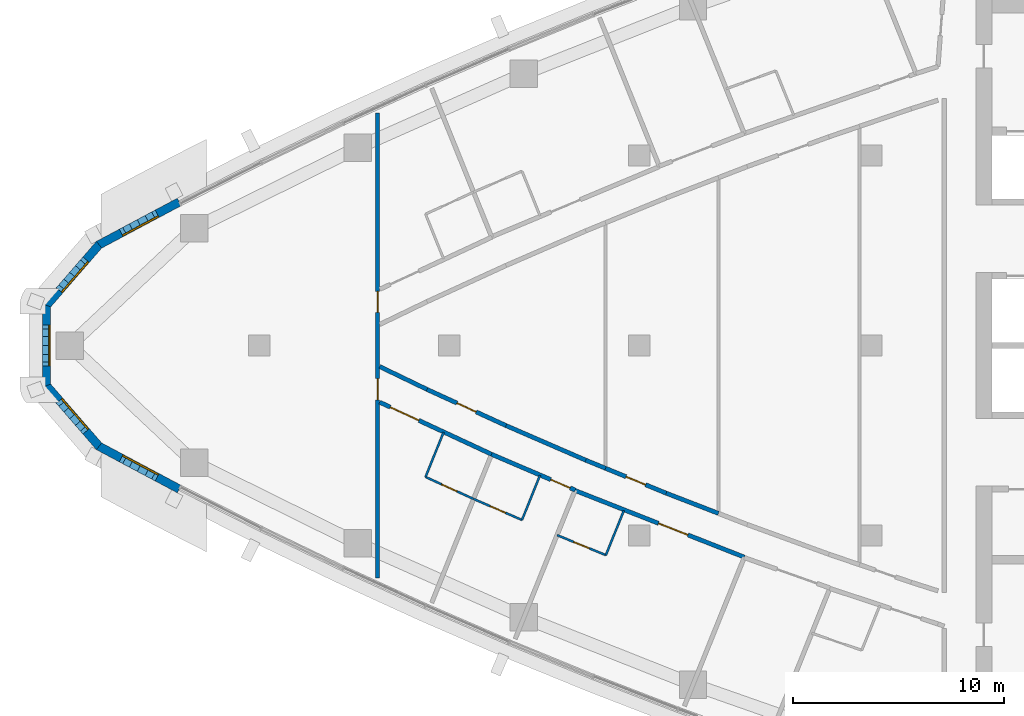
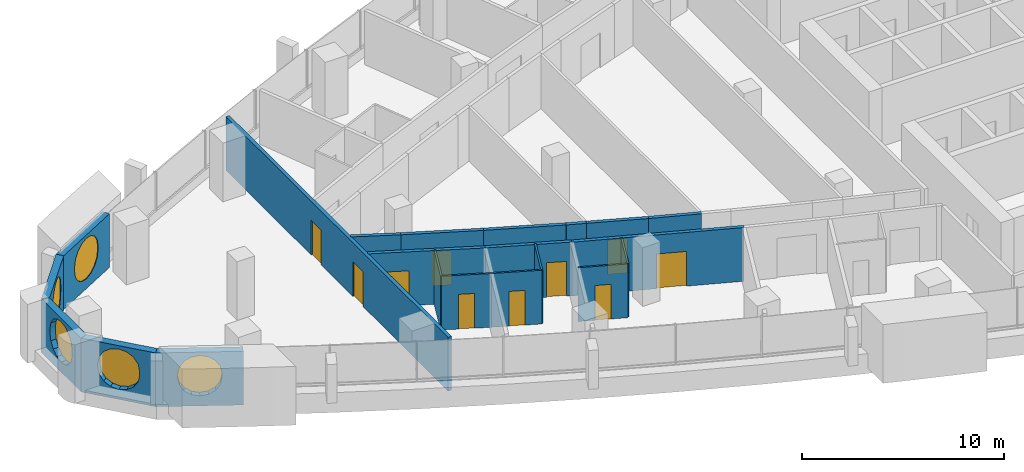
# One storey, part 9 of 17: 21 walls, 10 doors, 5 windows, 15 openings.
"""IFC4 building model written with IfcOpenShell, lengths in metres."""

from ifc_helpers import new_model, si_unit, direction, frame, frame_2d, origin, place, context, subcontext, project, spatial, polyline, rectangle, outline, extrude, material, layer, layer_set, type_object, element, fill, save


model = new_model("IFC4")

# Units and contexts
model_context = context("Model", 3, precision=1e-05, world=origin(), true_north=direction((0.0, 1.0)))
body_context = subcontext(model_context, "Body", "Model", "MODEL_VIEW")
ifc_project = project(units=[si_unit("LENGTHUNIT", "METRE"), si_unit("AREAUNIT", "SQUARE_METRE"), si_unit("VOLUMEUNIT", "CUBIC_METRE"), si_unit("PLANEANGLEUNIT", "RADIAN"), si_unit("MASSUNIT", "GRAM", prefix="KILO")], contexts=[model_context])

# Site, building, storey
site_placement = place(None, origin())
site = spatial("IfcSite", under=ifc_project, at=site_placement, CompositionType="ELEMENT")
building_placement = place(site_placement, origin())
building = spatial("IfcBuilding", under=site, at=building_placement, Name="Ostrand Prow Hotel Tower", CompositionType="ELEMENT")
storey_placement = place(building_placement, frame((0.0, 0.0, 200.35009765625)))
storey = spatial("IfcBuildingStorey", under=building, at=storey_placement, Name="L50", CompositionType="ELEMENT", Elevation=200.35009765625)

# Wall
ifc_material_1 = material(Name="Plasterboard partition")
ifc_layer_1 = layer(ifc_material_1, 0.10009765625)
ifc_layer_set_1 = layer_set([ifc_layer_1], Name="Plasterboard partition")
wall_type_1 = type_object("IfcWallType", Name="Partition 100 bathroom wall", PredefinedType="PARTITIONING", material=ifc_layer_set_1)
wall_1_placement = place(storey_placement, frame((23.87548828125, -6.22607421875, 0.0), z_axis=(0.0, 0.0, 1.0), x_axis=(0.373790023037, 0.927513352291, 0.0)))
element("IfcWall", 1, at=wall_1_placement, inside=storey, type_object=wall_type_1, Name="BATHROOM WALL", PredefinedType="PARTITIONING", context=body_context, shape_type="SweptSolid", body=[
    extrude(rectangle(XDim=2.279541015625, YDim=0.10009765625, at=frame_2d((1.1396484375, 0.0))), origin(), (0.0, 0.0, 1.0), 3.25),
])

# Wall, opening, door
wall_2_placement = place(storey_placement, frame((26.14208984375, -7.264404296875, 0.0), z_axis=(0.0, 0.0, 1.0), x_axis=(-0.909145169949, 0.416479363183, 0.0)))
wall_2 = element("IfcWall", 2, at=wall_2_placement, inside=storey, type_object=wall_type_1, Name="BATHROOM WALL", PredefinedType="PARTITIONING", context=body_context, shape_type="SweptSolid", body=[
    extrude(rectangle(XDim=2.4931640625, YDim=0.10009765625, at=frame_2d((1.24658203125, 0.0))), origin(), (0.0, 0.0, 1.0), 3.25),
])
opening_1_placement = place(wall_2_placement, frame((0.85009765625, 0.0, 0.0)))
opening_1 = element("IfcOpeningElement", 3, at=opening_1_placement, cuts=wall_2, Name="Opening D2", PredefinedType="OPENING", context=body_context, shape_type="SweptSolid", body=[
    extrude(rectangle(XDim=0.800048828125, YDim=2.10009765625, at=frame_2d((0.39990234375, 1.050048828125))), frame((0.0, 0.06005859375, 0.0), z_axis=(0.0, -1.0, 0.0), x_axis=(1.0, 0.0, 0.0)), (0.0, 0.0, 1.0), 0.1201171875),
])
ifc_material_2 = material(Name="Timber door leaf", Category="wood")
door_type_1 = type_object("IfcDoorType", Name="Bathroom door 800", OperationType="SINGLE_SWING_LEFT", PredefinedType="DOOR", material=ifc_material_2)
door_1_placement = place(opening_1_placement, origin())
door_1 = element("IfcDoor", 4, at=door_1_placement, inside=storey, type_object=door_type_1, Name="DOOR", OperationType="SINGLE_SWING_LEFT", OverallHeight=2.10009765625, OverallWidth=0.800048828125, PredefinedType="DOOR", context=body_context, shape_type="SweptSolid", body=[
    extrude(rectangle(XDim=0.800048828125, YDim=2.10009765625, at=frame_2d((0.39990234375, 1.050048828125))), frame((0.0, 0.02490234375, 0.0), z_axis=(0.0, -1.0, 0.0), x_axis=(1.0, 0.0, 0.0)), (0.0, 0.0, 1.0), 0.050048828125),
])
fill(opening_1, door_1)

# Wall
wall_3_placement = place(storey_placement, frame((29.296630859375, -6.15087890625, 0.0), z_axis=(0.0, 0.0, 1.0), x_axis=(-0.373902898623, -0.927467855185, 0.0)))
element("IfcWall", 5, at=wall_3_placement, inside=storey, type_object=wall_type_1, Name="BATHROOM WALL", PredefinedType="PARTITIONING", context=body_context, shape_type="SweptSolid", body=[
    extrude(rectangle(XDim=2.277587890625, YDim=0.10009765625, at=frame_2d((1.138671875, 0.0))), origin(), (0.0, 0.0, 1.0), 3.25),
])

# Wall, opening, door
wall_4_placement = place(storey_placement, frame((28.445068359375, -8.263427734375, 0.0), z_axis=(0.0, 0.0, 1.0), x_axis=(-0.917378641232, 0.398015613526, 0.0)))
wall_4 = element("IfcWall", 6, at=wall_4_placement, inside=storey, type_object=wall_type_1, Name="BATHROOM WALL", PredefinedType="PARTITIONING", context=body_context, shape_type="SweptSolid", body=[
    extrude(rectangle(XDim=2.500732421875, YDim=0.10009765625, at=frame_2d((1.25048828125, 0.0))), origin(), (0.0, 0.0, 1.0), 3.25),
])
opening_2_placement = place(wall_4_placement, frame((0.85009765625, 0.0, 0.0)))
opening_2 = element("IfcOpeningElement", 7, at=opening_2_placement, cuts=wall_4, Name="Opening D2", PredefinedType="OPENING", context=body_context, shape_type="SweptSolid", body=[
    extrude(rectangle(XDim=0.800048828125, YDim=2.10009765625, at=frame_2d((0.39990234375, 1.050048828125))), frame((0.0, 0.06005859375, 0.0), z_axis=(0.0, -1.0, 0.0), x_axis=(1.0, 0.0, 0.0)), (0.0, 0.0, 1.0), 0.1201171875),
])
door_2_placement = place(opening_2_placement, origin())
door_2 = element("IfcDoor", 8, at=door_2_placement, inside=storey, type_object=door_type_1, Name="DOOR", OperationType="SINGLE_SWING_LEFT", OverallHeight=2.10009765625, OverallWidth=0.800048828125, PredefinedType="DOOR", context=body_context, shape_type="SweptSolid", body=[
    extrude(rectangle(XDim=0.800048828125, YDim=2.10009765625, at=frame_2d((0.39990234375, 1.050048828125))), frame((0.0, 0.02490234375, 0.0), z_axis=(0.0, -1.0, 0.0), x_axis=(1.0, 0.0, 0.0)), (0.0, 0.0, 1.0), 0.050048828125),
])
fill(opening_2, door_2)

# Wall
wall_5_placement = place(storey_placement, frame((33.269775390625, -7.817626953125, 0.0), z_axis=(0.0, 0.0, 1.0), x_axis=(-0.373847853912, -0.927490044219, 0.0)))
element("IfcWall", 9, at=wall_5_placement, inside=storey, type_object=wall_type_1, Name="BATHROOM WALL", PredefinedType="PARTITIONING", context=body_context, shape_type="SweptSolid", body=[
    extrude(rectangle(XDim=2.277099609375, YDim=0.10009765625, at=frame_2d((1.138671875, 0.0))), origin(), (0.0, 0.0, 1.0), 3.25),
])

# Wall, opening, door
wall_6_placement = place(storey_placement, frame((32.41845703125, -9.9296875, 0.0), z_axis=(0.0, 0.0, 1.0), x_axis=(-0.92519499486, 0.379492057212, 0.0)))
wall_6 = element("IfcWall", 10, at=wall_6_placement, inside=storey, type_object=wall_type_1, Name="BATHROOM WALL", PredefinedType="PARTITIONING", context=body_context, shape_type="SweptSolid", body=[
    extrude(rectangle(XDim=2.5, YDim=0.10009765625, at=frame_2d((1.25, 0.0))), origin(), (0.0, 0.0, 1.0), 3.25),
])
opening_3_placement = place(wall_6_placement, frame((0.85009765625, 0.0, 0.0)))
opening_3 = element("IfcOpeningElement", 11, at=opening_3_placement, cuts=wall_6, Name="Opening D2", PredefinedType="OPENING", context=body_context, shape_type="SweptSolid", body=[
    extrude(rectangle(XDim=0.800048828125, YDim=2.10009765625, at=frame_2d((0.39990234375, 1.050048828125))), frame((0.0, 0.06005859375, 0.0), z_axis=(0.0, -1.0, 0.0), x_axis=(1.0, 0.0, 0.0)), (0.0, 0.0, 1.0), 0.1201171875),
])
door_3_placement = place(opening_3_placement, origin())
door_3 = element("IfcDoor", 12, at=door_3_placement, inside=storey, type_object=door_type_1, Name="DOOR", OperationType="SINGLE_SWING_LEFT", OverallHeight=2.10009765625, OverallWidth=0.800048828125, PredefinedType="DOOR", context=body_context, shape_type="SweptSolid", body=[
    extrude(rectangle(XDim=0.800048828125, YDim=2.10009765625, at=frame_2d((0.39990234375, 1.050048828125))), frame((0.0, 0.02490234375, 0.0), z_axis=(0.0, -1.0, 0.0), x_axis=(1.0, 0.0, 0.0)), (0.0, 0.0, 1.0), 0.050048828125),
])
fill(opening_3, door_3)

ifc_material_3 = material(Name="Plasterboard partition")
ifc_layer_2 = layer(ifc_material_3, 0.199951171875)
ifc_layer_set_2 = layer_set([ifc_layer_2], Name="Plasterboard partition")
wall_type_2 = type_object("IfcWallType", Name="Partition 200 corridor wall", PredefinedType="PARTITIONING", material=ifc_layer_set_2)
wall_7_placement = place(storey_placement, frame((21.7041015625, -2.684814453125, 0.0), z_axis=(0.0, 0.0, 1.0), x_axis=(0.906628613993, -0.421929563184, 0.0)))
wall_7 = element("IfcWall", 13, at=wall_7_placement, inside=storey, type_object=wall_type_2, Name="CORRIDOR WALL", PredefinedType="PARTITIONING", context=body_context, shape_type="SweptSolid", body=[
    extrude(rectangle(XDim=5.845947265625, YDim=0.199951171875, at=frame_2d((2.9228515625, 0.0))), origin(), (0.0, 0.0, 1.0), 3.25),
])
opening_4_placement = place(wall_7_placement, frame((0.550048828125, 0.0, 0.0)))
opening_4 = element("IfcOpeningElement", 14, at=opening_4_placement, cuts=wall_7, Name="Opening D15", PredefinedType="OPENING", context=body_context, shape_type="SweptSolid", body=[
    extrude(rectangle(XDim=1.5, YDim=2.10009765625, at=frame_2d((0.75, 1.050048828125))), frame((0.0, 0.10986328125, 0.0), z_axis=(0.0, -1.0, 0.0), x_axis=(1.0, 0.0, 0.0)), (0.0, 0.0, 1.0), 0.219970703125),
])
ifc_material_4 = material(Name="Timber door leaf", Category="wood")
door_type_2 = type_object("IfcDoorType", Name="Double door 1500", OperationType="DOUBLE_DOOR_SINGLE_SWING", PredefinedType="DOOR", material=ifc_material_4)
door_4_placement = place(opening_4_placement, origin())
door_4 = element("IfcDoor", 15, at=door_4_placement, inside=storey, type_object=door_type_2, Name="DOOR", OperationType="DOUBLE_DOOR_SINGLE_SWING", OverallHeight=2.10009765625, OverallWidth=1.5, PredefinedType="DOOR", context=body_context, shape_type="SweptSolid", body=[
    extrude(rectangle(XDim=1.5, YDim=2.10009765625, at=frame_2d((0.75, 1.050048828125))), frame((0.0, 0.02490234375, 0.0), z_axis=(0.0, -1.0, 0.0), x_axis=(1.0, 0.0, 0.0)), (0.0, 0.0, 1.0), 0.050048828125),
])
fill(opening_4, door_4)

wall_8_placement = place(storey_placement, frame((27.004150390625, -5.1513671875, 0.0), z_axis=(0.0, 0.0, 1.0), x_axis=(0.919259282109, -0.393652603519, 0.0)))
wall_8 = element("IfcWall", 16, at=wall_8_placement, inside=storey, type_object=wall_type_2, Name="CORRIDOR WALL", PredefinedType="PARTITIONING", context=body_context, shape_type="SweptSolid", body=[
    extrude(rectangle(XDim=4.30908203125, YDim=0.199951171875, at=frame_2d((2.154541015625, 0.0))), origin(), (0.0, 0.0, 1.0), 3.25),
])
opening_5_placement = place(wall_8_placement, frame((3.050048828125, 0.0, 0.0)))
opening_5 = element("IfcOpeningElement", 17, at=opening_5_placement, cuts=wall_8, Name="Opening D1R", PredefinedType="OPENING", context=body_context, shape_type="SweptSolid", body=[
    extrude(rectangle(XDim=1.0, YDim=2.10009765625, at=frame_2d((0.5, 1.050048828125))), frame((0.0, 0.10986328125, 0.0), z_axis=(0.0, -1.0, 0.0), x_axis=(1.0, 0.0, 0.0)), (0.0, 0.0, 1.0), 0.219970703125),
])
ifc_material_5 = material(Name="Timber door leaf", Category="wood")
door_type_3 = type_object("IfcDoorType", Name="Guest room door 1000 right", OperationType="SINGLE_SWING_RIGHT", PredefinedType="DOOR", material=ifc_material_5)
door_5_placement = place(opening_5_placement, origin())
door_5 = element("IfcDoor", 18, at=door_5_placement, inside=storey, type_object=door_type_3, Name="DOOR", OperationType="SINGLE_SWING_RIGHT", OverallHeight=2.10009765625, OverallWidth=1.0, PredefinedType="DOOR", context=body_context, shape_type="SweptSolid", body=[
    extrude(rectangle(XDim=1.0, YDim=2.10009765625, at=frame_2d((0.5, 1.050048828125))), frame((0.0, 0.02490234375, 0.0), z_axis=(0.0, -1.0, 0.0), x_axis=(1.0, 0.0, 0.0)), (0.0, 0.0, 1.0), 0.050048828125),
])
fill(opening_5, door_5)

wall_9_placement = place(storey_placement, frame((30.9580078125, -6.8662109375, 0.0), z_axis=(0.0, 0.0, 1.0), x_axis=(0.93040517394, -0.366532689274, 0.0)))
wall_9 = element("IfcWall", 19, at=wall_9_placement, inside=storey, type_object=wall_type_2, Name="CORRIDOR WALL", PredefinedType="PARTITIONING", context=body_context, shape_type="SweptSolid", body=[
    extrude(rectangle(XDim=8.621826171875, YDim=0.199951171875, at=frame_2d((4.31103515625, 0.0))), origin(), (0.0, 0.0, 1.0), 3.25),
])
opening_6_placement = place(wall_9_placement, frame((4.25, 0.0, 0.0)))
opening_6 = element("IfcOpeningElement", 20, at=opening_6_placement, cuts=wall_9, Name="Opening D15", PredefinedType="OPENING", context=body_context, shape_type="SweptSolid", body=[
    extrude(rectangle(XDim=1.5, YDim=2.10009765625, at=frame_2d((0.75, 1.050048828125))), frame((0.0, 0.10986328125, 0.0), z_axis=(0.0, -1.0, 0.0), x_axis=(1.0, 0.0, 0.0)), (0.0, 0.0, 1.0), 0.219970703125),
])
door_6_placement = place(opening_6_placement, origin())
door_6 = element("IfcDoor", 21, at=door_6_placement, inside=storey, type_object=door_type_2, Name="DOOR", OperationType="DOUBLE_DOOR_SINGLE_SWING", OverallHeight=2.10009765625, OverallWidth=1.5, PredefinedType="DOOR", context=body_context, shape_type="SweptSolid", body=[
    extrude(rectangle(XDim=1.5, YDim=2.10009765625, at=frame_2d((0.75, 1.050048828125))), frame((0.0, 0.02490234375, 0.0), z_axis=(0.0, -1.0, 0.0), x_axis=(1.0, 0.0, 0.0)), (0.0, 0.0, 1.0), 0.050048828125),
])
fill(opening_6, door_6)

wall_10_placement = place(storey_placement, frame((27.689697265625, -3.79345703125, 0.0), z_axis=(0.0, 0.0, 1.0), x_axis=(-0.909180834404, 0.416401501382, 0.0)))
wall_10 = element("IfcWall", 22, at=wall_10_placement, inside=storey, type_object=wall_type_2, Name="CORRIDOR WALL", PredefinedType="PARTITIONING", context=body_context, shape_type="SweptSolid", body=[
    extrude(rectangle(XDim=4.1171875, YDim=0.199951171875, at=frame_2d((2.05859375, 0.0))), origin(), (0.0, 0.0, 1.0), 3.25),
])
opening_7_placement = place(wall_10_placement, frame((1.55859375, 0.0, 0.0)))
opening_7 = element("IfcOpeningElement", 23, at=opening_7_placement, cuts=wall_10, Name="Opening D1R", PredefinedType="OPENING", context=body_context, shape_type="SweptSolid", body=[
    extrude(rectangle(XDim=1.0, YDim=2.10009765625, at=frame_2d((0.5, 1.050048828125))), frame((0.0, 0.10986328125, 0.0), z_axis=(0.0, -1.0, 0.0), x_axis=(1.0, 0.0, 0.0)), (0.0, 0.0, 1.0), 0.219970703125),
])
door_7_placement = place(opening_7_placement, origin())
door_7 = element("IfcDoor", 24, at=door_7_placement, inside=storey, type_object=door_type_3, Name="DOOR", OperationType="SINGLE_SWING_RIGHT", OverallHeight=2.10009765625, OverallWidth=1.0, PredefinedType="DOOR", context=body_context, shape_type="SweptSolid", body=[
    extrude(rectangle(XDim=1.0, YDim=2.10009765625, at=frame_2d((0.5, 1.050048828125))), frame((0.0, 0.02490234375, 0.0), z_axis=(0.0, -1.0, 0.0), x_axis=(1.0, 0.0, 0.0)), (0.0, 0.0, 1.0), 0.050048828125),
])
fill(opening_7, door_7)

# Walls
wall_11_placement = place(storey_placement, frame((32.40234375, -5.81591796875, 0.0), z_axis=(0.0, 0.0, 1.0), x_axis=(-0.925212079844, 0.379450401648, 0.0)))
element("IfcWall", 25, at=wall_11_placement, inside=storey, type_object=wall_type_2, Name="CORRIDOR WALL", PredefinedType="PARTITIONING", context=body_context, shape_type="SweptSolid", body=[
    extrude(rectangle(XDim=1.011474609375, YDim=0.199951171875, at=frame_2d((0.505859375, 0.0))), origin(), (0.0, 0.0, 1.0), 3.25),
])
wall_12_placement = place(storey_placement, frame((31.466552734375, -5.43212890625, 0.0), z_axis=(0.0, 0.0, 1.0), x_axis=(-0.917375244839, 0.398023441717, 0.0)))
element("IfcWall", 26, at=wall_12_placement, inside=storey, type_object=wall_type_2, Name="CORRIDOR WALL", PredefinedType="PARTITIONING", context=body_context, shape_type="SweptSolid", body=[
    extrude(rectangle(XDim=4.116943359375, YDim=0.199951171875, at=frame_2d((2.05859375, 0.0))), origin(), (0.0, 0.0, 1.0), 3.25),
])
wall_13_placement = place(storey_placement, frame((23.946533203125, -2.0791015625, 0.0), z_axis=(0.0, 0.0, 1.0), x_axis=(-0.900633695148, 0.434579045933, 0.0)))
element("IfcWall", 27, at=wall_13_placement, inside=storey, type_object=wall_type_2, Name="CORRIDOR WALL", PredefinedType="PARTITIONING", context=body_context, shape_type="SweptSolid", body=[
    extrude(rectangle(XDim=2.48974609375, YDim=0.199951171875, at=frame_2d((1.244873046875, 0.0))), origin(), (0.0, 0.0, 1.0), 3.25),
])

# Wall, opening, door
wall_14_placement = place(storey_placement, frame((35.275634765625, -6.994384765625, 0.0), z_axis=(0.0, 0.0, 1.0), x_axis=(-0.925204713675, 0.379468362045, 0.0)))
wall_14 = element("IfcWall", 28, at=wall_14_placement, inside=storey, type_object=wall_type_2, Name="CORRIDOR WALL", PredefinedType="PARTITIONING", context=body_context, shape_type="SweptSolid", body=[
    extrude(rectangle(XDim=3.10546875, YDim=0.199951171875, at=frame_2d((1.552734375, 0.0))), origin(), (0.0, 0.0, 1.0), 3.25),
])
opening_8_placement = place(wall_14_placement, frame((1.052734375, 0.0, 0.0)))
opening_8 = element("IfcOpeningElement", 29, at=opening_8_placement, cuts=wall_14, Name="Opening D1", PredefinedType="OPENING", context=body_context, shape_type="SweptSolid", body=[
    extrude(rectangle(XDim=1.0, YDim=2.10009765625, at=frame_2d((0.5, 1.050048828125))), frame((0.0, 0.10986328125, 0.0), z_axis=(0.0, -1.0, 0.0), x_axis=(1.0, 0.0, 0.0)), (0.0, 0.0, 1.0), 0.219970703125),
])
ifc_material_6 = material(Name="Timber door leaf", Category="wood")
door_type_4 = type_object("IfcDoorType", Name="Guest room door 1000", OperationType="SINGLE_SWING_LEFT", PredefinedType="DOOR", material=ifc_material_6)
door_8_placement = place(opening_8_placement, origin())
door_8 = element("IfcDoor", 30, at=door_8_placement, inside=storey, type_object=door_type_4, Name="DOOR", OperationType="SINGLE_SWING_LEFT", OverallHeight=2.10009765625, OverallWidth=1.0, PredefinedType="DOOR", context=body_context, shape_type="SweptSolid", body=[
    extrude(rectangle(XDim=1.0, YDim=2.10009765625, at=frame_2d((0.5, 1.050048828125))), frame((0.0, 0.02490234375, 0.0), z_axis=(0.0, -1.0, 0.0), x_axis=(1.0, 0.0, 0.0)), (0.0, 0.0, 1.0), 0.050048828125),
])
fill(opening_8, door_8)

# Wall
wall_15_placement = place(storey_placement, frame((37.751708984375, -7.951904296875, 0.0), z_axis=(0.0, 0.0, 1.0), x_axis=(-0.932689885878, 0.360679326801, 0.0)))
element("IfcWall", 31, at=wall_15_placement, inside=storey, type_object=wall_type_2, Name="CORRIDOR WALL", PredefinedType="PARTITIONING", context=body_context, shape_type="SweptSolid", body=[
    extrude(rectangle(XDim=2.65478515625, YDim=0.199951171875, at=frame_2d((1.327392578125, 0.0))), origin(), (0.0, 0.0, 1.0), 3.25),
])

# Wall, openings, doors
ifc_material_7 = material(Name="Plasterboard partition")
ifc_layer_3 = layer(ifc_material_7, 0.199951171875)
ifc_layer_set_3 = layer_set([ifc_layer_3], Name="Plasterboard partition")
wall_type_3 = type_object("IfcWallType", Name="Partition 200 lounge wall", PredefinedType="PARTITIONING", material=ifc_layer_set_3)
wall_16_placement = place(storey_placement, frame((21.60400390625, -11.015380859375, 0.0), z_axis=(0.0, 0.0, 1.0), x_axis=(0.0, 1.0, 0.0)))
wall_16 = element("IfcWall", 32, at=wall_16_placement, inside=storey, type_object=wall_type_3, Name="LOUNGE WALL", PredefinedType="PARTITIONING", context=body_context, shape_type="SweptSolid", body=[
    extrude(rectangle(XDim=22.03076171875, YDim=0.199951171875, at=frame_2d((11.015380859375, 0.0))), origin(), (0.0, 0.0, 1.0), 3.25),
])
opening_9_placement = place(wall_16_placement, frame((12.5859375, 0.0, 0.0)))
opening_9 = element("IfcOpeningElement", 33, at=opening_9_placement, cuts=wall_16, Name="Opening D1", PredefinedType="OPENING", context=body_context, shape_type="SweptSolid", body=[
    extrude(rectangle(XDim=1.0, YDim=2.10009765625, at=frame_2d((0.5, 1.050048828125))), frame((0.0, 0.10986328125, 0.0), z_axis=(0.0, -1.0, 0.0), x_axis=(1.0, 0.0, 0.0)), (0.0, 0.0, 1.0), 0.219970703125),
])
opening_10_placement = place(wall_16_placement, frame((8.444091796875, 0.0, 0.0)))
opening_10 = element("IfcOpeningElement", 34, at=opening_10_placement, cuts=wall_16, Name="Opening D1R", PredefinedType="OPENING", context=body_context, shape_type="SweptSolid", body=[
    extrude(rectangle(XDim=1.0, YDim=2.10009765625, at=frame_2d((0.5, 1.050048828125))), frame((0.0, 0.10986328125, 0.0), z_axis=(0.0, -1.0, 0.0), x_axis=(1.0, 0.0, 0.0)), (0.0, 0.0, 1.0), 0.219970703125),
])
door_9_placement = place(opening_9_placement, origin())
door_9 = element("IfcDoor", 35, at=door_9_placement, inside=storey, type_object=door_type_4, Name="DOOR", OperationType="SINGLE_SWING_LEFT", OverallHeight=2.10009765625, OverallWidth=1.0, PredefinedType="DOOR", context=body_context, shape_type="SweptSolid", body=[
    extrude(rectangle(XDim=1.0, YDim=2.10009765625, at=frame_2d((0.5, 1.050048828125))), frame((0.0, 0.02490234375, 0.0), z_axis=(0.0, -1.0, 0.0), x_axis=(1.0, 0.0, 0.0)), (0.0, 0.0, 1.0), 0.050048828125),
])
fill(opening_9, door_9)
door_10_placement = place(opening_10_placement, origin())
door_10 = element("IfcDoor", 36, at=door_10_placement, inside=storey, type_object=door_type_3, Name="DOOR", OperationType="SINGLE_SWING_RIGHT", OverallHeight=2.10009765625, OverallWidth=1.0, PredefinedType="DOOR", context=body_context, shape_type="SweptSolid", body=[
    extrude(rectangle(XDim=1.0, YDim=2.10009765625, at=frame_2d((0.5, 1.050048828125))), frame((0.0, 0.02490234375, 0.0), z_axis=(0.0, -1.0, 0.0), x_axis=(1.0, 0.0, 0.0)), (0.0, 0.0, 1.0), 0.050048828125),
])
fill(opening_10, door_10)

# Wall, opening, window
ifc_material_8 = material(Name="Precast concrete C40/50", Category="concrete")
ifc_layer_4 = layer(ifc_material_8, 0.39990234375)
ifc_layer_set_4 = layer_set([ifc_layer_4], Name="Precast concrete C40/50")
wall_type_4 = type_object("IfcWallType", Name="Stone-faced precast wall 400 mm", PredefinedType="NOTDEFINED", material=ifc_layer_set_4)
wall_17_placement = place(storey_placement, frame((12.209716796875, 6.801025390625, 0.0), z_axis=(0.0, 0.0, 1.0), x_axis=(-0.882385889746, -0.470526451518, 0.0)))
wall_17 = element("IfcWall", 37, at=wall_17_placement, inside=storey, type_object=wall_type_4, Name="Stone-faced wall prow 1", PredefinedType="NOTDEFINED", context=body_context, shape_type="SweptSolid", body=[
    extrude(outline(polyline([(0.0, -0.199951171875), (4.34423828125, -0.199951171875), (4.27001953125, 0.199951171875), (0.0, 0.199951171875), (0.0, -0.199951171875)])), origin(), (0.0, 0.0, 1.0), 3.25),
])
opening_11_placement = place(wall_17_placement, frame((1.053466796875, 0.0, 0.60009765625)))
opening_11 = element("IfcOpeningElement", 38, at=opening_11_placement, cuts=wall_17, Name="Opening WP2", PredefinedType="OPENING", context=body_context, shape_type="SweptSolid", body=[
    extrude(outline(polyline([(0.0, 1.35009765625), (0.083740234375, 1.77099609375), (0.322265625, 2.127685546875), (0.678955078125, 2.3662109375), (1.10009765625, 2.449951171875), (1.52099609375, 2.3662109375), (1.877685546875, 2.127685546875), (2.1162109375, 1.77099609375), (2.199951171875, 1.35009765625), (2.199951171875, 1.10009765625), (2.1162109375, 0.678955078125), (1.877685546875, 0.322265625), (1.52099609375, 0.083740234375), (1.10009765625, 0.0), (0.678955078125, 0.083740234375), (0.322265625, 0.322265625), (0.083740234375, 0.678955078125), (0.0, 1.099853515625), (0.0, 1.35009765625)])), frame((0.0, 0.2099609375, 0.0), z_axis=(0.0, -1.0, 0.0), x_axis=(1.0, 0.0, 0.0)), (0.0, 0.0, 1.0), 0.419921875),
])
ifc_material_9 = material(Name="Insulated glass in bronze frame", Category="glass")
window_type = type_object("IfcWindowType", Name="Round-ended prow lounge window 2200x2450", PartitioningType="SINGLE_PANEL", PredefinedType="WINDOW", material=ifc_material_9)
window_1_placement = place(opening_11_placement, origin())
window_1 = element("IfcWindow", 39, at=window_1_placement, inside=storey, type_object=window_type, Name="Window prow 1.1", OverallHeight=2.449951171875, OverallWidth=2.199951171875, PartitioningType="SINGLE_PANEL", PredefinedType="WINDOW", context=body_context, shape_type="SweptSolid", body=[
    extrude(outline(polyline([(0.0, 1.35009765625), (0.083740234375, 1.77099609375), (0.322265625, 2.127685546875), (0.678955078125, 2.3662109375), (1.10009765625, 2.449951171875), (1.52099609375, 2.3662109375), (1.877685546875, 2.127685546875), (2.1162109375, 1.77099609375), (2.199951171875, 1.35009765625), (2.199951171875, 1.10009765625), (2.1162109375, 0.678955078125), (1.877685546875, 0.322265625), (1.52099609375, 0.083740234375), (1.10009765625, 0.0), (0.678955078125, 0.083740234375), (0.322265625, 0.322265625), (0.083740234375, 0.678955078125), (0.0, 1.099853515625), (0.0, 1.35009765625)])), frame((0.0, 0.169921875, 0.0), z_axis=(0.0, -1.0, 0.0), x_axis=(1.0, 0.0, 0.0)), (0.0, 0.0, 1.0), 0.06005859375),
])
fill(opening_11, window_1)

wall_18_placement = place(storey_placement, frame((8.4091796875, 4.7744140625, 0.0), z_axis=(0.0, 0.0, 1.0), x_axis=(-0.654759384203, -0.755837382509, 0.0)))
wall_18 = element("IfcWall", 40, at=wall_18_placement, inside=storey, type_object=wall_type_4, Name="Stone-faced wall prow 2", PredefinedType="NOTDEFINED", context=body_context, shape_type="SweptSolid", body=[
    extrude(outline(polyline([(-0.037109375, -0.199951171875), (3.87646484375, -0.199951171875), (3.72705078125, 0.199951171875), (0.037109375, 0.199951171875), (-0.037109375, -0.199951171875)])), origin(), (0.0, 0.0, 1.0), 3.25),
])
opening_12_placement = place(wall_18_placement, frame((0.80078125, 0.0, 0.60009765625)))
opening_12 = element("IfcOpeningElement", 41, at=opening_12_placement, cuts=wall_18, Name="Opening WP2", PredefinedType="OPENING", context=body_context, shape_type="SweptSolid", body=[
    extrude(outline(polyline([(0.0, 1.35009765625), (0.083740234375, 1.77099609375), (0.322265625, 2.127685546875), (0.678955078125, 2.3662109375), (1.10009765625, 2.449951171875), (1.52099609375, 2.3662109375), (1.877685546875, 2.127685546875), (2.1162109375, 1.77099609375), (2.199951171875, 1.35009765625), (2.199951171875, 1.10009765625), (2.1162109375, 0.678955078125), (1.877685546875, 0.322265625), (1.52099609375, 0.083740234375), (1.10009765625, 0.0), (0.678955078125, 0.083740234375), (0.322265625, 0.322265625), (0.083740234375, 0.678955078125), (0.0, 1.099853515625), (0.0, 1.35009765625)])), frame((0.0, 0.2099609375, 0.0), z_axis=(0.0, -1.0, 0.0), x_axis=(1.0, 0.0, 0.0)), (0.0, 0.0, 1.0), 0.419921875),
])
window_2_placement = place(opening_12_placement, origin())
window_2 = element("IfcWindow", 42, at=window_2_placement, inside=storey, type_object=window_type, Name="Window prow 2.1", OverallHeight=2.449951171875, OverallWidth=2.199951171875, PartitioningType="SINGLE_PANEL", PredefinedType="WINDOW", context=body_context, shape_type="SweptSolid", body=[
    extrude(outline(polyline([(0.0, 1.35009765625), (0.083740234375, 1.77099609375), (0.322265625, 2.127685546875), (0.678955078125, 2.3662109375), (1.10009765625, 2.449951171875), (1.52099609375, 2.3662109375), (1.877685546875, 2.127685546875), (2.1162109375, 1.77099609375), (2.199951171875, 1.35009765625), (2.199951171875, 1.10009765625), (2.1162109375, 0.678955078125), (1.877685546875, 0.322265625), (1.52099609375, 0.083740234375), (1.10009765625, 0.0), (0.678955078125, 0.083740234375), (0.322265625, 0.322265625), (0.083740234375, 0.678955078125), (0.0, 1.099853515625), (0.0, 1.35009765625)])), frame((0.0, 0.169921875, 0.0), z_axis=(0.0, -1.0, 0.0), x_axis=(1.0, 0.0, 0.0)), (0.0, 0.0, 1.0), 0.06005859375),
])
fill(opening_12, window_2)

wall_19_placement = place(storey_placement, frame((5.919921875, 1.90087890625, 0.0), z_axis=(0.0, 0.0, 1.0), x_axis=(0.0, -1.0, 0.0)))
wall_19 = element("IfcWall", 43, at=wall_19_placement, inside=storey, type_object=wall_type_4, Name="Stone-faced wall prow 3", PredefinedType="NOTDEFINED", context=body_context, shape_type="SweptSolid", body=[
    extrude(outline(polyline([(-0.07470703125, -0.199951171875), (3.87646484375, -0.199951171875), (3.72705078125, 0.199951171875), (0.07470703125, 0.199951171875), (-0.07470703125, -0.199951171875)])), origin(), (0.0, 0.0, 1.0), 3.25),
])
opening_13_placement = place(wall_19_placement, frame((0.80078125, 0.0, 0.60009765625)))
opening_13 = element("IfcOpeningElement", 44, at=opening_13_placement, cuts=wall_19, Name="Opening WP2", PredefinedType="OPENING", context=body_context, shape_type="SweptSolid", body=[
    extrude(outline(polyline([(0.0, 1.35009765625), (0.083740234375, 1.77099609375), (0.322265625, 2.127685546875), (0.678955078125, 2.3662109375), (1.10009765625, 2.449951171875), (1.52099609375, 2.3662109375), (1.877685546875, 2.127685546875), (2.1162109375, 1.77099609375), (2.199951171875, 1.35009765625), (2.199951171875, 1.10009765625), (2.1162109375, 0.678955078125), (1.877685546875, 0.322265625), (1.52099609375, 0.083740234375), (1.10009765625, 0.0), (0.678955078125, 0.083740234375), (0.322265625, 0.322265625), (0.083740234375, 0.678955078125), (0.0, 1.099853515625), (0.0, 1.35009765625)])), frame((0.0, 0.2099609375, 0.0), z_axis=(0.0, -1.0, 0.0), x_axis=(1.0, 0.0, 0.0)), (0.0, 0.0, 1.0), 0.419921875),
])
window_3_placement = place(opening_13_placement, origin())
window_3 = element("IfcWindow", 45, at=window_3_placement, inside=storey, type_object=window_type, Name="Window prow 3.1", OverallHeight=2.449951171875, OverallWidth=2.199951171875, PartitioningType="SINGLE_PANEL", PredefinedType="WINDOW", context=body_context, shape_type="SweptSolid", body=[
    extrude(outline(polyline([(0.0, 1.35009765625), (0.083740234375, 1.77099609375), (0.322265625, 2.127685546875), (0.678955078125, 2.3662109375), (1.10009765625, 2.449951171875), (1.52099609375, 2.3662109375), (1.877685546875, 2.127685546875), (2.1162109375, 1.77099609375), (2.199951171875, 1.35009765625), (2.199951171875, 1.10009765625), (2.1162109375, 0.678955078125), (1.877685546875, 0.322265625), (1.52099609375, 0.083740234375), (1.10009765625, 0.0), (0.678955078125, 0.083740234375), (0.322265625, 0.322265625), (0.083740234375, 0.678955078125), (0.0, 1.099853515625), (0.0, 1.35009765625)])), frame((0.0, 0.169921875, 0.0), z_axis=(0.0, -1.0, 0.0), x_axis=(1.0, 0.0, 0.0)), (0.0, 0.0, 1.0), 0.06005859375),
])
fill(opening_13, window_3)

wall_20_placement = place(storey_placement, frame((5.919921875, -1.90087890625, 0.0), z_axis=(0.0, 0.0, 1.0), x_axis=(0.654759384203, -0.755837382509, 0.0)))
wall_20 = element("IfcWall", 46, at=wall_20_placement, inside=storey, type_object=wall_type_4, Name="Stone-faced wall prow 4", PredefinedType="NOTDEFINED", context=body_context, shape_type="SweptSolid", body=[
    extrude(outline(polyline([(-0.07470703125, -0.199951171875), (3.8388671875, -0.199951171875), (3.7646484375, 0.199951171875), (0.07470703125, 0.199951171875), (-0.07470703125, -0.199951171875)])), origin(), (0.0, 0.0, 1.0), 3.25),
])
opening_14_placement = place(wall_20_placement, frame((0.80078125, 0.0, 0.60009765625)))
opening_14 = element("IfcOpeningElement", 47, at=opening_14_placement, cuts=wall_20, Name="Opening WP2", PredefinedType="OPENING", context=body_context, shape_type="SweptSolid", body=[
    extrude(outline(polyline([(0.0, 1.35009765625), (0.083740234375, 1.77099609375), (0.322265625, 2.127685546875), (0.678955078125, 2.3662109375), (1.10009765625, 2.449951171875), (1.52099609375, 2.3662109375), (1.877685546875, 2.127685546875), (2.1162109375, 1.77099609375), (2.199951171875, 1.35009765625), (2.199951171875, 1.10009765625), (2.1162109375, 0.678955078125), (1.877685546875, 0.322265625), (1.52099609375, 0.083740234375), (1.10009765625, 0.0), (0.678955078125, 0.083740234375), (0.322265625, 0.322265625), (0.083740234375, 0.678955078125), (0.0, 1.099853515625), (0.0, 1.35009765625)])), frame((0.0, 0.2099609375, 0.0), z_axis=(0.0, -1.0, 0.0), x_axis=(1.0, 0.0, 0.0)), (0.0, 0.0, 1.0), 0.419921875),
])
window_4_placement = place(opening_14_placement, origin())
window_4 = element("IfcWindow", 48, at=window_4_placement, inside=storey, type_object=window_type, Name="Window prow 4.1", OverallHeight=2.449951171875, OverallWidth=2.199951171875, PartitioningType="SINGLE_PANEL", PredefinedType="WINDOW", context=body_context, shape_type="SweptSolid", body=[
    extrude(outline(polyline([(0.0, 1.35009765625), (0.083740234375, 1.77099609375), (0.322265625, 2.127685546875), (0.678955078125, 2.3662109375), (1.10009765625, 2.449951171875), (1.52099609375, 2.3662109375), (1.877685546875, 2.127685546875), (2.1162109375, 1.77099609375), (2.199951171875, 1.35009765625), (2.199951171875, 1.10009765625), (2.1162109375, 0.678955078125), (1.877685546875, 0.322265625), (1.52099609375, 0.083740234375), (1.10009765625, 0.0), (0.678955078125, 0.083740234375), (0.322265625, 0.322265625), (0.083740234375, 0.678955078125), (0.0, 1.099853515625), (0.0, 1.35009765625)])), frame((0.0, 0.169921875, 0.0), z_axis=(0.0, -1.0, 0.0), x_axis=(1.0, 0.0, 0.0)), (0.0, 0.0, 1.0), 0.06005859375),
])
fill(opening_14, window_4)

wall_21_placement = place(storey_placement, frame((8.4091796875, -4.7744140625, 0.0), z_axis=(0.0, 0.0, 1.0), x_axis=(0.882385889746, -0.470526451518, 0.0)))
wall_21 = element("IfcWall", 49, at=wall_21_placement, inside=storey, type_object=wall_type_4, Name="Stone-faced wall prow 5", PredefinedType="NOTDEFINED", context=body_context, shape_type="SweptSolid", body=[
    extrude(outline(polyline([(-0.037109375, -0.199951171875), (4.30712890625, -0.199951171875), (4.30712890625, 0.199951171875), (0.037109375, 0.199951171875), (-0.037109375, -0.199951171875)])), origin(), (0.0, 0.0, 1.0), 3.25),
])
opening_15_placement = place(wall_21_placement, frame((1.053466796875, 0.0, 0.60009765625)))
opening_15 = element("IfcOpeningElement", 50, at=opening_15_placement, cuts=wall_21, Name="Opening WP2", PredefinedType="OPENING", context=body_context, shape_type="SweptSolid", body=[
    extrude(outline(polyline([(0.0, 1.35009765625), (0.083740234375, 1.77099609375), (0.322265625, 2.127685546875), (0.678955078125, 2.3662109375), (1.10009765625, 2.449951171875), (1.52099609375, 2.3662109375), (1.877685546875, 2.127685546875), (2.1162109375, 1.77099609375), (2.199951171875, 1.35009765625), (2.199951171875, 1.10009765625), (2.1162109375, 0.678955078125), (1.877685546875, 0.322265625), (1.52099609375, 0.083740234375), (1.10009765625, 0.0), (0.678955078125, 0.083740234375), (0.322265625, 0.322265625), (0.083740234375, 0.678955078125), (0.0, 1.099853515625), (0.0, 1.35009765625)])), frame((0.0, 0.2099609375, 0.0), z_axis=(0.0, -1.0, 0.0), x_axis=(1.0, 0.0, 0.0)), (0.0, 0.0, 1.0), 0.419921875),
])
window_5_placement = place(opening_15_placement, origin())
window_5 = element("IfcWindow", 51, at=window_5_placement, inside=storey, type_object=window_type, Name="Window prow 5.1", OverallHeight=2.449951171875, OverallWidth=2.199951171875, PartitioningType="SINGLE_PANEL", PredefinedType="WINDOW", context=body_context, shape_type="SweptSolid", body=[
    extrude(outline(polyline([(0.0, 1.35009765625), (0.083740234375, 1.77099609375), (0.322265625, 2.127685546875), (0.678955078125, 2.3662109375), (1.10009765625, 2.449951171875), (1.52099609375, 2.3662109375), (1.877685546875, 2.127685546875), (2.1162109375, 1.77099609375), (2.199951171875, 1.35009765625), (2.199951171875, 1.10009765625), (2.1162109375, 0.678955078125), (1.877685546875, 0.322265625), (1.52099609375, 0.083740234375), (1.10009765625, 0.0), (0.678955078125, 0.083740234375), (0.322265625, 0.322265625), (0.083740234375, 0.678955078125), (0.0, 1.099853515625), (0.0, 1.35009765625)])), frame((0.0, 0.169921875, 0.0), z_axis=(0.0, -1.0, 0.0), x_axis=(1.0, 0.0, 0.0)), (0.0, 0.0, 1.0), 0.06005859375),
])
fill(opening_15, window_5)

save(model, "model.ifc")
